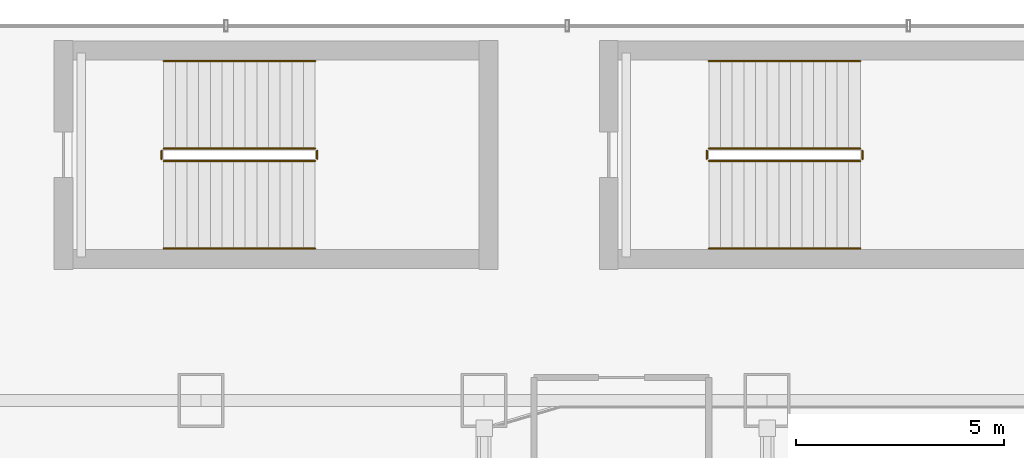
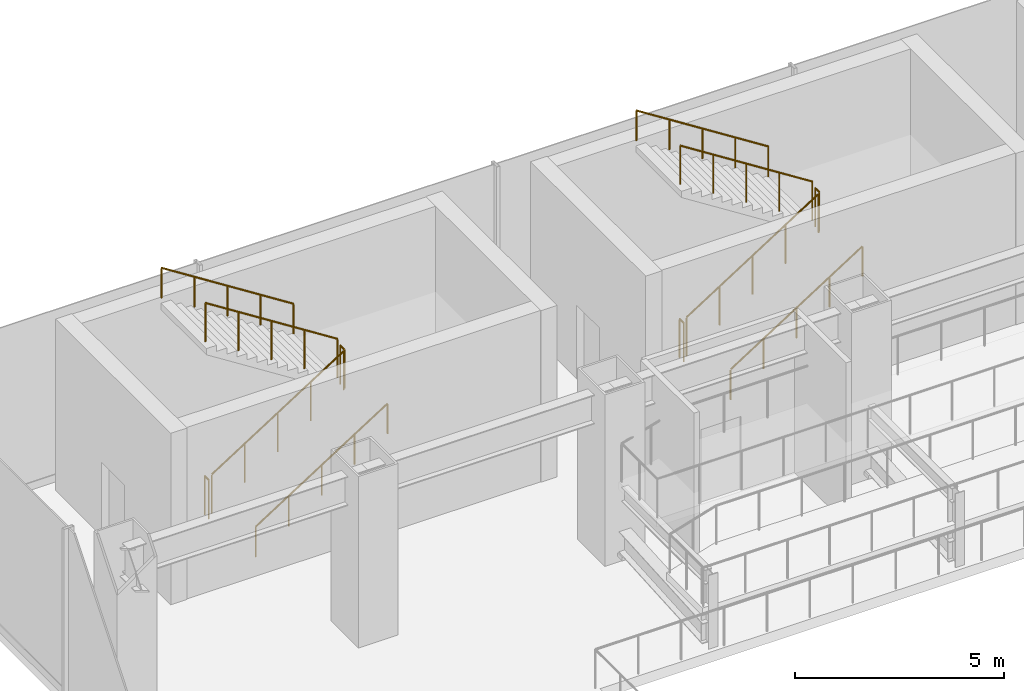
# One storey, part 36 of 39: 12 railings.
"""IFC4 building model written with IfcOpenShell, lengths in metres."""

from ifc_helpers import new_model, si_unit, derived_unit, direction, frame, origin, origin_2d, place, context, subcontext, project, spatial, circle, extrude, material, type_object, element, save


model = new_model("IFC4")

# Units and contexts
model_context = context("Model", 3, precision=1e-05, world=origin(), true_north=direction((0.0, 1.0)))
body_context = subcontext(model_context, "Body", "Model", "MODEL_VIEW")
ifc_project = project(units=[si_unit("LENGTHUNIT", "METRE"), si_unit("AREAUNIT", "SQUARE_METRE"), si_unit("VOLUMEUNIT", "CUBIC_METRE"), si_unit("PLANEANGLEUNIT", "RADIAN"), si_unit("MASSUNIT", "GRAM", prefix="KILO"), derived_unit("THERMALTRANSMITTANCEUNIT", [(si_unit("POWERUNIT", "WATT"), 1), (si_unit("LENGTHUNIT", "METRE"), -2), (si_unit("THERMODYNAMICTEMPERATUREUNIT", "KELVIN"), -1)])], contexts=[model_context])

# Site, building, storey
site_placement = place(None, origin())
site = spatial("IfcSite", under=ifc_project, at=site_placement, CompositionType="ELEMENT")
building_placement = place(site_placement, origin())
building = spatial("IfcBuilding", under=site, at=building_placement, Name="Skarnbrae Concourse Arena and Tower", CompositionType="ELEMENT")
storey_placement = place(building_placement, frame((0.0, 0.0, 16.0)))
storey = spatial("IfcBuildingStorey", under=building, at=storey_placement, Name="L03", CompositionType="ELEMENT", Elevation=16.0)

# Railings
ifc_material = material(Name="Steel CSA G40.21 350W", Category="steel")
railing_type_1 = type_object("IfcRailingType", Name="RAIL-HANDRAIL-900", PredefinedType="HANDRAIL", material=ifc_material)
railing_1_placement = place(storey_placement, frame((6.699951171875, 50.64990234375, 0.178466796875)))
element("IfcRailing", 1, at=railing_1_placement, inside=storey, type_object=railing_type_1, Name="L03 ST-A5 stair handrail 1", PredefinedType="HANDRAIL", context=body_context, shape_type="SweptSolid", body=[
    extrude(circle(Radius=0.02392578125, at=origin_2d()), frame((0.0, 0.0, 0.8759765625), z_axis=(0.843127859045, 0.0, 0.537713132908), x_axis=(0.0, 1.0, 0.0)), (0.0, 0.0, 1.0), 4.3173828125),
    extrude(circle(Radius=0.02099609375, at=origin_2d()), origin(), (0.0, 0.0, 1.0), 0.851806640625),
    extrude(circle(Radius=0.02099609375, at=origin_2d()), frame((0.91015625, 0.0, 0.580322265625)), (0.0, 0.0, 1.0), 0.851806640625),
    extrude(circle(Radius=0.02099609375, at=origin_2d()), frame((1.820068359375, 0.0, 1.16064453125)), (0.0, 0.0, 1.0), 0.851806640625),
    extrude(circle(Radius=0.02099609375, at=origin_2d()), frame((2.72998046875, 0.0, 1.7412109375)), (0.0, 0.0, 1.0), 0.851806640625),
    extrude(circle(Radius=0.02099609375, at=origin_2d()), frame((3.64013671875, 0.0, 2.321533203125)), (0.0, 0.0, 1.0), 0.851806640625),
])
railing_2_placement = place(storey_placement, frame((10.340087890625, 55.14990234375, 2.678466796875)))
element("IfcRailing", 2, at=railing_2_placement, inside=storey, type_object=railing_type_1, Name="L03 ST-A5 stair handrail 2", PredefinedType="HANDRAIL", context=body_context, shape_type="SweptSolid", body=[
    extrude(circle(Radius=0.02392578125, at=origin_2d()), frame((0.0, 0.0, 0.8759765625), z_axis=(-0.843127859045, 0.0, 0.537713132908), x_axis=(0.0, -1.0, 0.0)), (0.0, 0.0, 1.0), 4.3173828125),
    extrude(circle(Radius=0.02099609375, at=origin_2d()), origin(), (0.0, 0.0, 1.0), 0.851806640625),
    extrude(circle(Radius=0.02099609375, at=origin_2d()), frame((-0.91015625, 0.0, 0.580322265625)), (0.0, 0.0, 1.0), 0.851806640625),
    extrude(circle(Radius=0.02099609375, at=origin_2d()), frame((-1.820068359375, 0.0, 1.16064453125)), (0.0, 0.0, 1.0), 0.851806640625),
    extrude(circle(Radius=0.02099609375, at=origin_2d()), frame((-2.72998046875, 0.0, 1.7412109375)), (0.0, 0.0, 1.0), 0.851806640625),
    extrude(circle(Radius=0.02099609375, at=origin_2d()), frame((-3.64013671875, 0.0, 2.321533203125)), (0.0, 0.0, 1.0), 0.851806640625),
])
railing_3_placement = place(storey_placement, frame((19.800048828125, 50.64990234375, 0.178466796875)))
element("IfcRailing", 3, at=railing_3_placement, inside=storey, type_object=railing_type_1, Name="L03 ST-A6 stair handrail 1", PredefinedType="HANDRAIL", context=body_context, shape_type="SweptSolid", body=[
    extrude(circle(Radius=0.02392578125, at=origin_2d()), frame((0.0, 0.0, 0.8759765625), z_axis=(0.843111507901, 0.0, 0.53773877045), x_axis=(0.0, 1.0, 0.0)), (0.0, 0.0, 1.0), 4.317138671875),
    extrude(circle(Radius=0.02099609375, at=origin_2d()), origin(), (0.0, 0.0, 1.0), 0.851806640625),
    extrude(circle(Radius=0.02099609375, at=origin_2d()), frame((0.909912109375, 0.0, 0.580322265625)), (0.0, 0.0, 1.0), 0.851806640625),
    extrude(circle(Radius=0.02099609375, at=origin_2d()), frame((1.81982421875, 0.0, 1.16064453125)), (0.0, 0.0, 1.0), 0.851806640625),
    extrude(circle(Radius=0.02099609375, at=origin_2d()), frame((2.72998046875, 0.0, 1.7412109375)), (0.0, 0.0, 1.0), 0.851806640625),
    extrude(circle(Radius=0.02099609375, at=origin_2d()), frame((3.639892578125, 0.0, 2.321533203125)), (0.0, 0.0, 1.0), 0.851806640625),
])
railing_4_placement = place(storey_placement, frame((23.43994140625, 55.14990234375, 2.678466796875)))
element("IfcRailing", 4, at=railing_4_placement, inside=storey, type_object=railing_type_1, Name="L03 ST-A6 stair handrail 2", PredefinedType="HANDRAIL", context=body_context, shape_type="SweptSolid", body=[
    extrude(circle(Radius=0.02392578125, at=origin_2d()), frame((0.0, 0.0, 0.8759765625), z_axis=(-0.843111507901, 0.0, 0.53773877045), x_axis=(0.0, -1.0, 0.0)), (0.0, 0.0, 1.0), 4.317138671875),
    extrude(circle(Radius=0.02099609375, at=origin_2d()), origin(), (0.0, 0.0, 1.0), 0.851806640625),
    extrude(circle(Radius=0.02099609375, at=origin_2d()), frame((-0.909912109375, 0.0, 0.580322265625)), (0.0, 0.0, 1.0), 0.851806640625),
    extrude(circle(Radius=0.02099609375, at=origin_2d()), frame((-1.81982421875, 0.0, 1.16064453125)), (0.0, 0.0, 1.0), 0.851806640625),
    extrude(circle(Radius=0.02099609375, at=origin_2d()), frame((-2.72998046875, 0.0, 1.7412109375)), (0.0, 0.0, 1.0), 0.851806640625),
    extrude(circle(Radius=0.02099609375, at=origin_2d()), frame((-3.639892578125, 0.0, 2.321533203125)), (0.0, 0.0, 1.0), 0.851806640625),
])
railing_type_2 = type_object("IfcRailingType", Name="RAIL-STAIR-GUARD-1150", PredefinedType="GUARDRAIL", material=ifc_material)
railing_5_placement = place(storey_placement, frame((6.699951171875, 52.75, 0.178466796875)))
element("IfcRailing", 5, at=railing_5_placement, inside=storey, type_object=railing_type_2, Name="L03 ST-A5 stair guard 1", PredefinedType="GUARDRAIL", context=body_context, shape_type="SweptSolid", body=[
    extrude(circle(Radius=0.02392578125, at=origin_2d()), frame((0.0, 0.0, 1.1259765625), z_axis=(0.843127859045, 0.0, 0.537713132908), x_axis=(0.0, 1.0, 0.0)), (0.0, 0.0, 1.0), 4.3173828125),
    extrude(circle(Radius=0.02099609375, at=origin_2d()), origin(), (0.0, 0.0, 1.0), 1.101806640625),
    extrude(circle(Radius=0.02099609375, at=origin_2d()), frame((0.91015625, 0.0, 0.580322265625)), (0.0, 0.0, 1.0), 1.101806640625),
    extrude(circle(Radius=0.02099609375, at=origin_2d()), frame((1.820068359375, 0.0, 1.16064453125)), (0.0, 0.0, 1.0), 1.101806640625),
    extrude(circle(Radius=0.02099609375, at=origin_2d()), frame((2.72998046875, 0.0, 1.7412109375)), (0.0, 0.0, 1.0), 1.101806640625),
    extrude(circle(Radius=0.02099609375, at=origin_2d()), frame((3.64013671875, 0.0, 2.321533203125)), (0.0, 0.0, 1.0), 1.101806640625),
])
railing_6_placement = place(storey_placement, frame((10.389892578125, 52.800048828125, 2.5)))
element("IfcRailing", 6, at=railing_6_placement, inside=storey, type_object=railing_type_2, Name="L03 ST-A5 stair guard 2", PredefinedType="GUARDRAIL", context=body_context, shape_type="SweptSolid", body=[
    extrude(circle(Radius=0.02392578125, at=origin_2d()), frame((0.0, 0.0, 1.1259765625), z_axis=(0.0, 1.0, 0.0), x_axis=(-1.0, 0.0, 0.0)), (0.0, 0.0, 1.0), 0.199951171875),
    extrude(circle(Radius=0.02099609375, at=origin_2d()), origin(), (0.0, 0.0, 1.0), 1.101806640625),
    extrude(circle(Radius=0.02099609375, at=origin_2d()), frame((0.0, 0.199951171875, 0.0)), (0.0, 0.0, 1.0), 1.101806640625),
])
railing_7_placement = place(storey_placement, frame((10.340087890625, 53.050048828125, 2.678466796875)))
element("IfcRailing", 7, at=railing_7_placement, inside=storey, type_object=railing_type_2, Name="L03 ST-A5 stair guard 3", PredefinedType="GUARDRAIL", context=body_context, shape_type="SweptSolid", body=[
    extrude(circle(Radius=0.02392578125, at=origin_2d()), frame((0.0, 0.0, 1.1259765625), z_axis=(-0.843127859045, 0.0, 0.537713132908), x_axis=(0.0, -1.0, 0.0)), (0.0, 0.0, 1.0), 4.3173828125),
    extrude(circle(Radius=0.02099609375, at=origin_2d()), origin(), (0.0, 0.0, 1.0), 1.101806640625),
    extrude(circle(Radius=0.02099609375, at=origin_2d()), frame((-0.91015625, 0.0, 0.580322265625)), (0.0, 0.0, 1.0), 1.101806640625),
    extrude(circle(Radius=0.02099609375, at=origin_2d()), frame((-1.820068359375, 0.0, 1.16064453125)), (0.0, 0.0, 1.0), 1.101806640625),
    extrude(circle(Radius=0.02099609375, at=origin_2d()), frame((-2.72998046875, 0.0, 1.7412109375)), (0.0, 0.0, 1.0), 1.101806640625),
    extrude(circle(Radius=0.02099609375, at=origin_2d()), frame((-3.64013671875, 0.0, 2.321533203125)), (0.0, 0.0, 1.0), 1.101806640625),
])
railing_8_placement = place(storey_placement, frame((6.64990234375, 52.800048828125, 0.0)))
element("IfcRailing", 8, at=railing_8_placement, inside=storey, type_object=railing_type_2, Name="L03 ST-A5 stair guard 4", PredefinedType="GUARDRAIL", context=body_context, shape_type="SweptSolid", body=[
    extrude(circle(Radius=0.02392578125, at=origin_2d()), frame((0.0, 0.0, 1.1259765625), z_axis=(0.0, 1.0, 0.0), x_axis=(-1.0, 0.0, 0.0)), (0.0, 0.0, 1.0), 0.199951171875),
    extrude(circle(Radius=0.02099609375, at=origin_2d()), origin(), (0.0, 0.0, 1.0), 1.101806640625),
    extrude(circle(Radius=0.02099609375, at=origin_2d()), frame((0.0, 0.199951171875, 0.0)), (0.0, 0.0, 1.0), 1.101806640625),
])
railing_9_placement = place(storey_placement, frame((19.800048828125, 52.75, 0.178466796875)))
element("IfcRailing", 9, at=railing_9_placement, inside=storey, type_object=railing_type_2, Name="L03 ST-A6 stair guard 1", PredefinedType="GUARDRAIL", context=body_context, shape_type="SweptSolid", body=[
    extrude(circle(Radius=0.02392578125, at=origin_2d()), frame((0.0, 0.0, 1.1259765625), z_axis=(0.843111507901, 0.0, 0.53773877045), x_axis=(0.0, 1.0, 0.0)), (0.0, 0.0, 1.0), 4.317138671875),
    extrude(circle(Radius=0.02099609375, at=origin_2d()), origin(), (0.0, 0.0, 1.0), 1.101806640625),
    extrude(circle(Radius=0.02099609375, at=origin_2d()), frame((0.909912109375, 0.0, 0.580322265625)), (0.0, 0.0, 1.0), 1.101806640625),
    extrude(circle(Radius=0.02099609375, at=origin_2d()), frame((1.81982421875, 0.0, 1.16064453125)), (0.0, 0.0, 1.0), 1.101806640625),
    extrude(circle(Radius=0.02099609375, at=origin_2d()), frame((2.72998046875, 0.0, 1.7412109375)), (0.0, 0.0, 1.0), 1.101806640625),
    extrude(circle(Radius=0.02099609375, at=origin_2d()), frame((3.639892578125, 0.0, 2.321533203125)), (0.0, 0.0, 1.0), 1.101806640625),
])
railing_10_placement = place(storey_placement, frame((23.489990234375, 52.800048828125, 2.5)))
element("IfcRailing", 10, at=railing_10_placement, inside=storey, type_object=railing_type_2, Name="L03 ST-A6 stair guard 2", PredefinedType="GUARDRAIL", context=body_context, shape_type="SweptSolid", body=[
    extrude(circle(Radius=0.02392578125, at=origin_2d()), frame((0.0, 0.0, 1.1259765625), z_axis=(0.0, 1.0, 0.0), x_axis=(-1.0, 0.0, 0.0)), (0.0, 0.0, 1.0), 0.199951171875),
    extrude(circle(Radius=0.02099609375, at=origin_2d()), origin(), (0.0, 0.0, 1.0), 1.101806640625),
    extrude(circle(Radius=0.02099609375, at=origin_2d()), frame((0.0, 0.199951171875, 0.0)), (0.0, 0.0, 1.0), 1.101806640625),
])
railing_11_placement = place(storey_placement, frame((23.43994140625, 53.050048828125, 2.678466796875)))
element("IfcRailing", 11, at=railing_11_placement, inside=storey, type_object=railing_type_2, Name="L03 ST-A6 stair guard 3", PredefinedType="GUARDRAIL", context=body_context, shape_type="SweptSolid", body=[
    extrude(circle(Radius=0.02392578125, at=origin_2d()), frame((0.0, 0.0, 1.1259765625), z_axis=(-0.843111507901, 0.0, 0.53773877045), x_axis=(0.0, -1.0, 0.0)), (0.0, 0.0, 1.0), 4.317138671875),
    extrude(circle(Radius=0.02099609375, at=origin_2d()), origin(), (0.0, 0.0, 1.0), 1.101806640625),
    extrude(circle(Radius=0.02099609375, at=origin_2d()), frame((-0.909912109375, 0.0, 0.580322265625)), (0.0, 0.0, 1.0), 1.101806640625),
    extrude(circle(Radius=0.02099609375, at=origin_2d()), frame((-1.81982421875, 0.0, 1.16064453125)), (0.0, 0.0, 1.0), 1.101806640625),
    extrude(circle(Radius=0.02099609375, at=origin_2d()), frame((-2.72998046875, 0.0, 1.7412109375)), (0.0, 0.0, 1.0), 1.101806640625),
    extrude(circle(Radius=0.02099609375, at=origin_2d()), frame((-3.639892578125, 0.0, 2.321533203125)), (0.0, 0.0, 1.0), 1.101806640625),
])
railing_12_placement = place(storey_placement, frame((19.75, 52.800048828125, 0.0)))
element("IfcRailing", 12, at=railing_12_placement, inside=storey, type_object=railing_type_2, Name="L03 ST-A6 stair guard 4", PredefinedType="GUARDRAIL", context=body_context, shape_type="SweptSolid", body=[
    extrude(circle(Radius=0.02392578125, at=origin_2d()), frame((0.0, 0.0, 1.1259765625), z_axis=(0.0, 1.0, 0.0), x_axis=(-1.0, 0.0, 0.0)), (0.0, 0.0, 1.0), 0.199951171875),
    extrude(circle(Radius=0.02099609375, at=origin_2d()), origin(), (0.0, 0.0, 1.0), 1.101806640625),
    extrude(circle(Radius=0.02099609375, at=origin_2d()), frame((0.0, 0.199951171875, 0.0)), (0.0, 0.0, 1.0), 1.101806640625),
])

save(model, "model.ifc")
